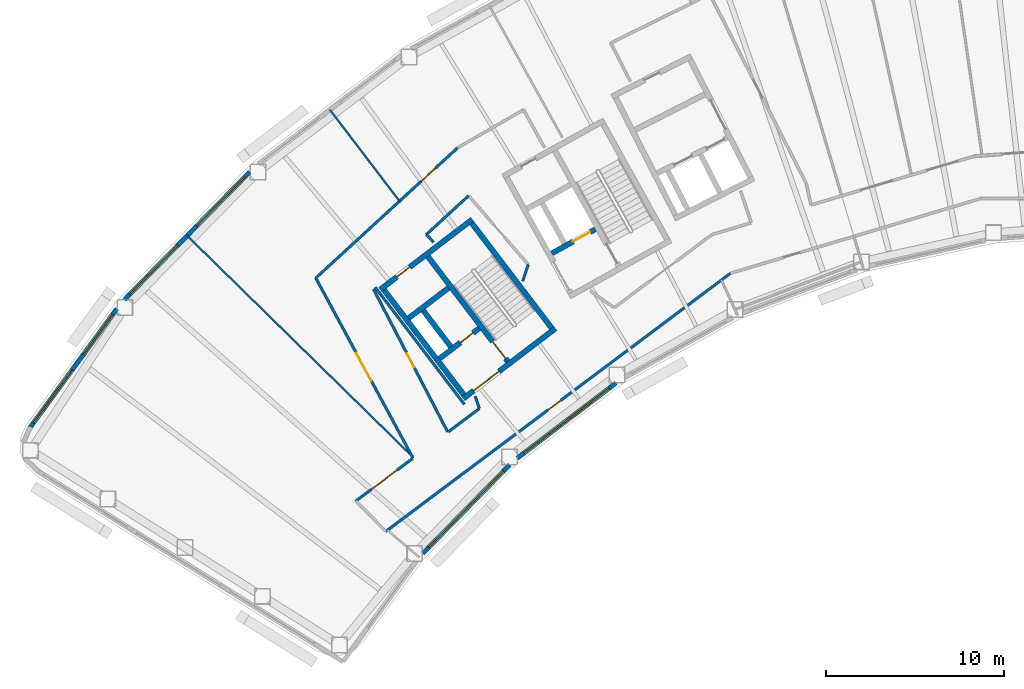
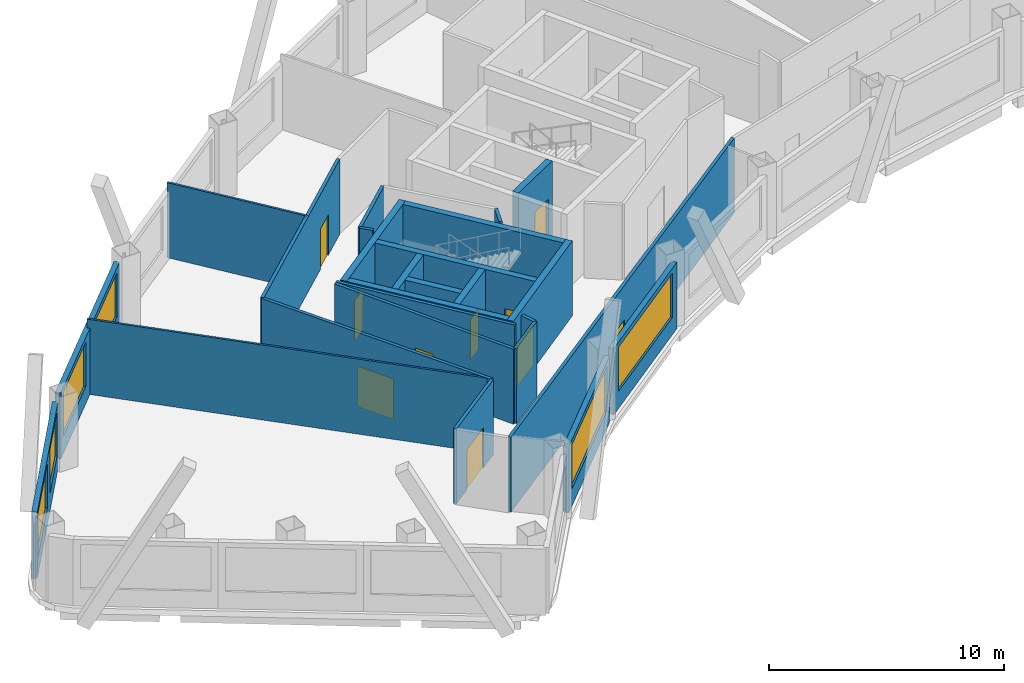
# One storey, part 5 of 13: 26 walls, 10 doors, 6 windows, 16 openings.
"""IFC4 building model written with IfcOpenShell, lengths in metres."""

from ifc_helpers import new_model, si_unit, direction, frame, frame_2d, origin, place, context, subcontext, project, spatial, rectangle, extrude, material, layer, layer_set, type_object, element, fill, save


model = new_model("IFC4")

# Units and contexts
model_context = context("Model", 3, precision=1e-05, world=origin(), true_north=direction((0.0, 1.0)))
body_context = subcontext(model_context, "Body", "Model", "MODEL_VIEW")
ifc_project = project(units=[si_unit("LENGTHUNIT", "METRE"), si_unit("AREAUNIT", "SQUARE_METRE"), si_unit("VOLUMEUNIT", "CUBIC_METRE"), si_unit("PLANEANGLEUNIT", "RADIAN"), si_unit("MASSUNIT", "GRAM", prefix="KILO")], contexts=[model_context])

# Site, building, storey
site_placement = place(None, origin())
site = spatial("IfcSite", under=ifc_project, at=site_placement, CompositionType="ELEMENT")
building_placement = place(site_placement, origin())
building = spatial("IfcBuilding", under=site, at=building_placement, Name="Tuul Gate Civic Tower", CompositionType="ELEMENT")
storey_placement = place(building_placement, frame((0.0, 0.0, 188.89990234375)))
storey = spatial("IfcBuildingStorey", under=building, at=storey_placement, Name="Level 43", CompositionType="ELEMENT", Elevation=188.89990234375)

# Wall, opening, door
ifc_material_1 = material(Name="Concrete C50/60", Category="concrete")
ifc_layer_1 = layer(ifc_material_1, 0.300048828125)
ifc_layer_set_1 = layer_set([ifc_layer_1], Name="Concrete C50/60")
wall_type_1 = type_object("IfcWallType", Name="Core wall C50/60", PredefinedType="SHEAR", material=ifc_layer_set_1)
wall_1_placement = place(storey_placement, frame((-31.19091796875, -13.669677734375, 0.0), z_axis=(0.0, 0.0, 1.0), x_axis=(-0.795606717756, -0.605813461934, 0.0)))
wall_1 = element("IfcWall", 1, at=wall_1_placement, inside=storey, type_object=wall_type_1, Name="Core wall", PredefinedType="SHEAR", context=body_context, shape_type="SweptSolid", body=[
    extrude(rectangle(XDim=6.5, YDim=0.300048828125, at=frame_2d((3.25, 0.0))), origin(), (0.0, 0.0, 1.0), 3.900146484375),
])
opening_1_placement = place(wall_1_placement, frame((3.97509765625, 0.0, 0.0)))
opening_1 = element("IfcOpeningElement", 2, at=opening_1_placement, cuts=wall_1, Name="Opening LB-W1-LOBBY-1", PredefinedType="OPENING", context=body_context, shape_type="SweptSolid", body=[
    extrude(rectangle(XDim=1.800048828125, YDim=2.10009765625, at=frame_2d((0.89990234375, 1.050048828125))), frame((0.0, 0.16015625, 0.0), z_axis=(0.0, -1.0, 0.0), x_axis=(1.0, 0.0, 0.0)), (0.0, 0.0, 1.0), 0.320068359375),
])
ifc_material_2 = material(Name="Steel", Category="steel")
door_type_1 = type_object("IfcDoorType", Name="Lobby door", OperationType="DOUBLE_DOOR_SINGLE_SWING", PredefinedType="DOOR", material=ifc_material_2)
door_1_placement = place(opening_1_placement, origin())
door_1 = element("IfcDoor", 3, at=door_1_placement, inside=storey, type_object=door_type_1, Name="Lobby door W1-LOBBY", OperationType="DOUBLE_DOOR_SINGLE_SWING", OverallHeight=2.10009765625, OverallWidth=1.800048828125, PredefinedType="DOOR", context=body_context, shape_type="SweptSolid", body=[
    extrude(rectangle(XDim=1.800048828125, YDim=2.10009765625, at=frame_2d((0.89990234375, 1.050048828125))), frame((0.0, 0.02490234375, 0.0), z_axis=(0.0, -1.0, 0.0), x_axis=(1.0, 0.0, 0.0)), (0.0, 0.0, 1.0), 0.050048828125),
])
fill(opening_1, door_1)

wall_2_placement = place(storey_placement, frame((-35.470947265625, -13.66064453125, 0.0), z_axis=(0.0, 0.0, 1.0), x_axis=(-0.795615822227, -0.605801504968, 0.0)))
wall_2 = element("IfcWall", 4, at=wall_2_placement, inside=storey, type_object=wall_type_1, Name="Core wall", PredefinedType="SHEAR", context=body_context, shape_type="SweptSolid", body=[
    extrude(rectangle(XDim=2.800048828125, YDim=0.300048828125, at=frame_2d((1.39990234375, 0.0))), origin(), (0.0, 0.0, 1.0), 3.900146484375),
])
opening_2_placement = place(wall_2_placement, frame((0.425048828125, 0.0, 0.0)))
opening_2 = element("IfcOpeningElement", 5, at=opening_2_placement, cuts=wall_2, Name="Opening FB-W1A1", PredefinedType="OPENING", context=body_context, shape_type="SweptSolid", body=[
    extrude(rectangle(XDim=0.89990234375, YDim=2.10009765625, at=frame_2d((0.449951171875, 1.050048828125))), frame((0.0, 0.16015625, 0.0), z_axis=(0.0, -1.0, 0.0), x_axis=(1.0, 0.0, 0.0)), (0.0, 0.0, 1.0), 0.320068359375),
])
ifc_material_3 = material(Name="Steel", Category="steel")
door_type_2 = type_object("IfcDoorType", Name="Store door", OperationType="NOTDEFINED", PredefinedType="DOOR", material=ifc_material_3)
door_2_placement = place(opening_2_placement, origin())
door_2 = element("IfcDoor", 6, at=door_2_placement, inside=storey, type_object=door_type_2, Name="Store door W1A1", OperationType="SINGLE_SWING_LEFT", OverallHeight=2.10009765625, OverallWidth=0.89990234375, PredefinedType="DOOR", context=body_context, shape_type="SweptSolid", body=[
    extrude(rectangle(XDim=0.89990234375, YDim=2.10009765625, at=frame_2d((0.449951171875, 1.050048828125))), frame((0.0, 0.02490234375, 0.0), z_axis=(0.0, -1.0, 0.0), x_axis=(1.0, 0.0, 0.0)), (0.0, 0.0, 1.0), 0.050048828125),
])
fill(opening_2, door_2)

# Wall
wall_3_placement = place(storey_placement, frame((-37.197509765625, -11.39306640625, 0.0), z_axis=(0.0, 0.0, 1.0), x_axis=(-0.795583820278, -0.605843531707, 0.0)))
element("IfcWall", 7, at=wall_3_placement, inside=storey, type_object=wall_type_1, Name="Core wall", PredefinedType="SHEAR", context=body_context, shape_type="SweptSolid", body=[
    extrude(rectangle(XDim=2.7998046875, YDim=0.300048828125, at=frame_2d((1.39990234375, 0.0))), origin(), (0.0, 0.0, 1.0), 3.900146484375),
])

# Wall, opening, door
wall_4_placement = place(storey_placement, frame((-35.855224609375, -7.543212890625, 0.0), z_axis=(0.0, 0.0, 1.0), x_axis=(-0.79563860527, -0.605771582202, 0.0)))
wall_4 = element("IfcWall", 8, at=wall_4_placement, inside=storey, type_object=wall_type_1, Name="Core wall", PredefinedType="SHEAR", context=body_context, shape_type="SweptSolid", body=[
    extrude(rectangle(XDim=6.5, YDim=0.300048828125, at=frame_2d((3.25, 0.0))), origin(), (0.0, 0.0, 1.0), 3.900146484375),
])
opening_3_placement = place(wall_4_placement, frame((4.425048828125, 0.0, 0.0)))
opening_3 = element("IfcOpeningElement", 9, at=opening_3_placement, cuts=wall_4, Name="Opening O-D25", PredefinedType="OPENING", context=body_context, shape_type="SweptSolid", body=[
    extrude(rectangle(XDim=0.89990234375, YDim=2.10009765625, at=frame_2d((0.449951171875, 1.050048828125))), frame((0.0, 0.16015625, 0.0), z_axis=(0.0, -1.0, 0.0), x_axis=(1.0, 0.0, 0.0)), (0.0, 0.0, 1.0), 0.320068359375),
])
ifc_material_4 = material(Name="Timber door leaf", Category="wood")
door_type_3 = type_object("IfcDoorType", Name="Door D09", OperationType="NOTDEFINED", PredefinedType="DOOR", material=ifc_material_4)
door_3_placement = place(opening_3_placement, origin())
door_3 = element("IfcDoor", 10, at=door_3_placement, inside=storey, type_object=door_type_3, Name="Door O-D25", OperationType="SINGLE_SWING_RIGHT", OverallHeight=2.10009765625, OverallWidth=0.89990234375, PredefinedType="DOOR", context=body_context, shape_type="SweptSolid", body=[
    extrude(rectangle(XDim=0.89990234375, YDim=2.10009765625, at=frame_2d((0.449951171875, 1.050048828125))), frame((0.0, 0.02490234375, 0.0), z_axis=(0.0, -1.0, 0.0), x_axis=(1.0, 0.0, 0.0)), (0.0, 0.0, 1.0), 0.050048828125),
])
fill(opening_3, door_3)

# Wall
wall_5_placement = place(storey_placement, frame((-31.401123046875, -13.64111328125, 0.0), z_axis=(0.0, 0.0, 1.0), x_axis=(-0.605769822278, 0.795639945213, 0.0)))
element("IfcWall", 11, at=wall_5_placement, inside=storey, type_object=wall_type_1, Name="Core wall", PredefinedType="SHEAR", context=body_context, shape_type="SweptSolid", body=[
    extrude(rectangle(XDim=7.39990234375, YDim=0.300048828125, at=frame_2d((3.699951171875, 0.0))), origin(), (0.0, 0.0, 1.0), 3.900146484375),
])

# Wall, opening, door
wall_6_placement = place(storey_placement, frame((-33.867431640625, -15.51904296875, 0.0), z_axis=(0.0, 0.0, 1.0), x_axis=(-0.605769822278, 0.795639945213, 0.0)))
wall_6 = element("IfcWall", 12, at=wall_6_placement, inside=storey, type_object=wall_type_1, Name="Core wall", PredefinedType="SHEAR", context=body_context, shape_type="SweptSolid", body=[
    extrude(rectangle(XDim=7.39990234375, YDim=0.300048828125, at=frame_2d((3.699951171875, 0.0))), origin(), (0.0, 0.0, 1.0), 3.900146484375),
])
opening_4_placement = place(wall_6_placement, frame((0.199951171875, 0.0, 0.0)))
opening_4 = element("IfcOpeningElement", 13, at=opening_4_placement, cuts=wall_6, Name="Opening SD-ST-1", PredefinedType="OPENING", context=body_context, shape_type="SweptSolid", body=[
    extrude(rectangle(XDim=1.199951171875, YDim=2.10009765625, at=frame_2d((0.60009765625, 1.050048828125))), frame((0.0, 0.16015625, 0.0), z_axis=(0.0, -1.0, 0.0), x_axis=(1.0, 0.0, 0.0)), (0.0, 0.0, 1.0), 0.320068359375),
])
ifc_material_5 = material(Name="Steel", Category="steel")
door_type_4 = type_object("IfcDoorType", Name="Stair door", OperationType="NOTDEFINED", PredefinedType="DOOR", material=ifc_material_5)
door_4_placement = place(opening_4_placement, origin())
door_4 = element("IfcDoor", 14, at=door_4_placement, inside=storey, type_object=door_type_4, Name="Stair door ST-1", OperationType="SINGLE_SWING_LEFT", OverallHeight=2.10009765625, OverallWidth=1.199951171875, PredefinedType="DOOR", context=body_context, shape_type="SweptSolid", body=[
    extrude(rectangle(XDim=1.199951171875, YDim=2.10009765625, at=frame_2d((0.60009765625, 1.050048828125))), frame((0.0, 0.02490234375, 0.0), z_axis=(0.0, -1.0, 0.0), x_axis=(1.0, 0.0, 0.0)), (0.0, 0.0, 1.0), 0.050048828125),
])
fill(opening_4, door_4)

# Walls
wall_7_placement = place(storey_placement, frame((-37.073486328125, -14.6923828125, 0.0), z_axis=(0.0, 0.0, 1.0), x_axis=(-0.605728760074, 0.79567120673, 0.0)))
element("IfcWall", 15, at=wall_7_placement, inside=storey, type_object=wall_type_1, Name="Core wall", PredefinedType="SHEAR", context=body_context, shape_type="SweptSolid", body=[
    extrude(rectangle(XDim=2.550048828125, YDim=0.300048828125, at=frame_2d((1.27490234375, 0.0))), origin(), (0.0, 0.0, 1.0), 3.900146484375),
])
wall_8_placement = place(storey_placement, frame((-36.333984375, -17.397216796875, 0.0), z_axis=(0.0, 0.0, 1.0), x_axis=(-0.605753921168, 0.795652051458, 0.0)))
element("IfcWall", 16, at=wall_8_placement, inside=storey, type_object=wall_type_1, Name="Core wall", PredefinedType="SHEAR", context=body_context, shape_type="SweptSolid", body=[
    extrude(rectangle(XDim=7.400146484375, YDim=0.300048828125, at=frame_2d((3.7001953125, 0.0))), origin(), (0.0, 0.0, 1.0), 3.900146484375),
])

# Wall, opening, door
wall_9_placement = place(storey_placement, frame((-28.94580078125, -8.090087890625, 0.0), z_axis=(0.0, 0.0, 1.0), x_axis=(-0.874629840737, -0.484791338301, 0.0)))
wall_9 = element("IfcWall", 17, at=wall_9_placement, inside=storey, type_object=wall_type_1, Name="Core wall", PredefinedType="SHEAR", context=body_context, shape_type="SweptSolid", body=[
    extrude(rectangle(XDim=2.800048828125, YDim=0.300048828125, at=frame_2d((1.39990234375, 0.0))), origin(), (0.0, 0.0, 1.0), 3.900146484375),
])
opening_5_placement = place(wall_9_placement, frame((0.324951171875, 0.0, 0.0)))
opening_5 = element("IfcOpeningElement", 18, at=opening_5_placement, cuts=wall_9, Name="Opening LD-FF-1", PredefinedType="OPENING", context=body_context, shape_type="SweptSolid", body=[
    extrude(rectangle(XDim=1.10009765625, YDim=2.10009765625, at=frame_2d((0.550048828125, 1.050048828125))), frame((0.0, 0.16015625, 0.0), z_axis=(0.0, -1.0, 0.0), x_axis=(1.0, 0.0, 0.0)), (0.0, 0.0, 1.0), 0.320068359375),
])
ifc_material_6 = material(Name="Stainless steel", Category="steel")
door_type_5 = type_object("IfcDoorType", Name="Landing door", OperationType="DOUBLE_DOOR_SLIDING", PredefinedType="DOOR", material=ifc_material_6)
door_5_placement = place(opening_5_placement, origin())
door_5 = element("IfcDoor", 19, at=door_5_placement, inside=storey, type_object=door_type_5, Name="Fire-fighting lift FF-1 landing door", OperationType="DOUBLE_DOOR_SLIDING", OverallHeight=2.10009765625, OverallWidth=1.10009765625, PredefinedType="DOOR", context=body_context, shape_type="SweptSolid", body=[
    extrude(rectangle(XDim=1.10009765625, YDim=2.10009765625, at=frame_2d((0.550048828125, 1.050048828125))), frame((0.0, 0.02490234375, 0.0), z_axis=(0.0, -1.0, 0.0), x_axis=(1.0, 0.0, 0.0)), (0.0, 0.0, 1.0), 0.050048828125),
])
fill(opening_5, door_5)

ifc_material_7 = material(Name="Gypsum board partition")
ifc_layer_2 = layer(ifc_material_7, 0.14990234375)
ifc_layer_set_2 = layer_set([ifc_layer_2], Name="Gypsum board partition")
wall_type_2 = type_object("IfcWallType", Name="Corridor wall P150", PredefinedType="PARTITIONING", material=ifc_layer_set_2)
wall_10_placement = place(storey_placement, frame((-42.40576171875, -23.3671875, 0.0), z_axis=(0.0, 0.0, 1.0), x_axis=(0.800709014442, 0.599053481912, 0.0)))
wall_10 = element("IfcWall", 20, at=wall_10_placement, inside=storey, type_object=wall_type_2, Name="p049", PredefinedType="PARTITIONING", context=body_context, shape_type="SweptSolid", body=[
    extrude(rectangle(XDim=4.0048828125, YDim=0.14990234375, at=frame_2d((2.00244140625, 0.0))), origin(), (0.0, 0.0, 1.0), 3.900146484375),
])
opening_6_placement = place(wall_10_placement, frame((1.1025390625, 0.0, 0.0)))
opening_6 = element("IfcOpeningElement", 21, at=opening_6_placement, cuts=wall_10, Name="Opening O-D18", PredefinedType="OPENING", context=body_context, shape_type="SweptSolid", body=[
    extrude(rectangle(XDim=1.800048828125, YDim=2.10009765625, at=frame_2d((0.89990234375, 1.050048828125))), frame((0.0, 0.0849609375, 0.0), z_axis=(0.0, -1.0, 0.0), x_axis=(1.0, 0.0, 0.0)), (0.0, 0.0, 1.0), 0.169921875),
])
ifc_material_8 = material(Name="Timber door leaf, double", Category="wood")
door_type_6 = type_object("IfcDoorType", Name="Door D18", OperationType="DOUBLE_DOOR_SINGLE_SWING", PredefinedType="DOOR", material=ifc_material_8)
door_6_placement = place(opening_6_placement, origin())
door_6 = element("IfcDoor", 22, at=door_6_placement, inside=storey, type_object=door_type_6, Name="Door O-D18", OperationType="DOUBLE_DOOR_SINGLE_SWING", OverallHeight=2.10009765625, OverallWidth=1.800048828125, PredefinedType="DOOR", context=body_context, shape_type="SweptSolid", body=[
    extrude(rectangle(XDim=1.800048828125, YDim=2.10009765625, at=frame_2d((0.89990234375, 1.050048828125))), frame((0.0, 0.02490234375, 0.0), z_axis=(0.0, -1.0, 0.0), x_axis=(1.0, 0.0, 0.0)), (0.0, 0.0, 1.0), 0.050048828125),
])
fill(opening_6, door_6)

# Wall
wall_11_placement = place(storey_placement, frame((-37.2138671875, -19.48291015625, 0.0), z_axis=(0.0, 0.0, 1.0), x_axis=(0.800732897989, 0.599021557274, 0.0)))
element("IfcWall", 23, at=wall_11_placement, inside=storey, type_object=wall_type_2, Name="p050", PredefinedType="PARTITIONING", context=body_context, shape_type="SweptSolid", body=[
    extrude(rectangle(XDim=2.19677734375, YDim=0.14990234375, at=frame_2d((1.098388671875, 0.0))), origin(), (0.0, 0.0, 1.0), 3.900146484375),
])

# Wall, opening, door
wall_12_placement = place(storey_placement, frame((-44.6494140625, -10.834228515625, 0.0), z_axis=(0.0, 0.0, 1.0), x_axis=(0.736637538175, 0.676287762237, 0.0)))
wall_12 = element("IfcWall", 24, at=wall_12_placement, inside=storey, type_object=wall_type_2, Name="p056", PredefinedType="PARTITIONING", context=body_context, shape_type="SweptSolid", body=[
    extrude(rectangle(XDim=10.8134765625, YDim=0.14990234375, at=frame_2d((5.40673828125, 0.0))), origin(), (0.0, 0.0, 1.0), 3.900146484375),
])
opening_7_placement = place(wall_12_placement, frame((8.04833984375, 0.0, 0.0)))
opening_7 = element("IfcOpeningElement", 25, at=opening_7_placement, cuts=wall_12, Name="Opening O-D16", PredefinedType="OPENING", context=body_context, shape_type="SweptSolid", body=[
    extrude(rectangle(XDim=1.10009765625, YDim=2.10009765625, at=frame_2d((0.550048828125, 1.050048828125))), frame((0.0, 0.0849609375, 0.0), z_axis=(0.0, -1.0, 0.0), x_axis=(1.0, 0.0, 0.0)), (0.0, 0.0, 1.0), 0.169921875),
])
ifc_material_9 = material(Name="Timber door leaf", Category="wood")
door_type_7 = type_object("IfcDoorType", Name="Door D11", OperationType="NOTDEFINED", PredefinedType="DOOR", material=ifc_material_9)
door_7_placement = place(opening_7_placement, origin())
door_7 = element("IfcDoor", 26, at=door_7_placement, inside=storey, type_object=door_type_7, Name="Door O-D16", OperationType="SINGLE_SWING_RIGHT", OverallHeight=2.10009765625, OverallWidth=1.10009765625, PredefinedType="DOOR", context=body_context, shape_type="SweptSolid", body=[
    extrude(rectangle(XDim=1.10009765625, YDim=2.10009765625, at=frame_2d((0.550048828125, 1.050048828125))), frame((0.0, 0.02490234375, 0.0), z_axis=(0.0, -1.0, 0.0), x_axis=(1.0, 0.0, 0.0)), (0.0, 0.0, 1.0), 0.050048828125),
])
fill(opening_7, door_7)

wall_13_placement = place(storey_placement, frame((-44.649658203125, -10.835205078125, 0.0), z_axis=(0.0, 0.0, 1.0), x_axis=(0.47506006994, -0.879953368054, 0.0)))
wall_13 = element("IfcWall", 27, at=wall_13_placement, inside=storey, type_object=wall_type_2, Name="p058", PredefinedType="PARTITIONING", context=body_context, shape_type="SweptSolid", body=[
    extrude(rectangle(XDim=11.489013671875, YDim=0.14990234375, at=frame_2d((5.74462890625, 0.0))), origin(), (0.0, 0.0, 1.0), 3.900146484375),
])
opening_8_placement = place(wall_13_placement, frame((4.783935546875, 0.0, 0.0)))
opening_8 = element("IfcOpeningElement", 28, at=opening_8_placement, cuts=wall_13, Name="Opening O-D17", PredefinedType="OPENING", context=body_context, shape_type="SweptSolid", body=[
    extrude(rectangle(XDim=1.800048828125, YDim=2.10009765625, at=frame_2d((0.89990234375, 1.050048828125))), frame((0.0, 0.0849609375, 0.0), z_axis=(0.0, -1.0, 0.0), x_axis=(1.0, 0.0, 0.0)), (0.0, 0.0, 1.0), 0.169921875),
])
door_8_placement = place(opening_8_placement, frame((1.800048828125, 0.0, 0.0), z_axis=(0.0, 0.0, 1.0), x_axis=(-1.0, 0.0, 0.0)))
door_8 = element("IfcDoor", 29, at=door_8_placement, inside=storey, type_object=door_type_6, Name="Door O-D17", OperationType="DOUBLE_DOOR_SINGLE_SWING", OverallHeight=2.10009765625, OverallWidth=1.800048828125, PredefinedType="DOOR", context=body_context, shape_type="SweptSolid", body=[
    extrude(rectangle(XDim=1.800048828125, YDim=2.10009765625, at=frame_2d((0.900146484375, 1.050048828125))), frame((0.0, 0.02490234375, 0.0), z_axis=(0.0, -1.0, 0.0), x_axis=(1.0, 0.0, 0.0)), (0.0, 0.0, 1.0), 0.050048828125),
])
fill(opening_8, door_8)

wall_14_placement = place(storey_placement, frame((-40.71044921875, -25.06787109375, 0.0), z_axis=(0.0, 0.0, 1.0), x_axis=(0.800397176277, 0.599470066148, 0.0)))
wall_14 = element("IfcWall", 30, at=wall_14_placement, inside=storey, type_object=wall_type_2, Name="p061", PredefinedType="PARTITIONING", context=body_context, shape_type="SweptSolid", body=[
    extrude(rectangle(XDim=24.18359375, YDim=0.14990234375, at=frame_2d((12.091796875, 0.0))), origin(), (0.0, 0.0, 1.0), 3.900146484375),
])
opening_9_placement = place(wall_14_placement, frame((11.374755859375, 0.0, 0.0)))
opening_9 = element("IfcOpeningElement", 31, at=opening_9_placement, cuts=wall_14, Name="Opening O-D21", PredefinedType="OPENING", context=body_context, shape_type="SweptSolid", body=[
    extrude(rectangle(XDim=0.89990234375, YDim=2.10009765625, at=frame_2d((0.449951171875, 1.050048828125))), frame((0.0, 0.0849609375, 0.0), z_axis=(0.0, -1.0, 0.0), x_axis=(1.0, 0.0, 0.0)), (0.0, 0.0, 1.0), 0.169921875),
])
door_9_placement = place(opening_9_placement, frame((0.89990234375, 0.0, 0.0), z_axis=(0.0, 0.0, 1.0), x_axis=(-1.0, 0.0, 0.0)))
door_9 = element("IfcDoor", 32, at=door_9_placement, inside=storey, type_object=door_type_3, Name="Door O-D21", OperationType="SINGLE_SWING_LEFT", OverallHeight=2.10009765625, OverallWidth=0.89990234375, PredefinedType="DOOR", context=body_context, shape_type="SweptSolid", body=[
    extrude(rectangle(XDim=0.89990234375, YDim=2.10009765625, at=frame_2d((0.449951171875, 1.050048828125))), frame((0.0, 0.02490234375, 0.0), z_axis=(0.0, -1.0, 0.0), x_axis=(1.0, 0.0, 0.0)), (0.0, 0.0, 1.0), 0.050048828125),
])
fill(opening_9, door_9)

# Walls
wall_15_placement = place(storey_placement, frame((-33.025390625, -11.012451171875, 0.0), z_axis=(0.0, 0.0, 1.0), x_axis=(0.315856146292, 0.94880709043, 0.0)))
element("IfcWall", 33, at=wall_15_placement, inside=storey, type_object=wall_type_2, Name="p068", PredefinedType="PARTITIONING", context=body_context, shape_type="SweptSolid", body=[
    extrude(rectangle(XDim=0.985595703125, YDim=0.14990234375, at=frame_2d((0.49267578125, 0.0))), origin(), (0.0, 0.0, 1.0), 3.900146484375),
])
wall_16_placement = place(storey_placement, frame((-38.436279296875, -8.38818359375, 0.0), z_axis=(0.0, 0.0, 1.0), x_axis=(0.676468695749, -0.736471386866, 0.0)))
element("IfcWall", 34, at=wall_16_placement, inside=storey, type_object=wall_type_2, Name="p069", PredefinedType="PARTITIONING", context=body_context, shape_type="SweptSolid", body=[
    extrude(rectangle(XDim=0.593994140625, YDim=0.14990234375, at=frame_2d((0.296875, 0.0))), origin(), (0.0, 0.0, 1.0), 3.900146484375),
])
wall_17_placement = place(storey_placement, frame((-38.436279296875, -8.38818359375, 0.0), z_axis=(0.0, 0.0, 1.0), x_axis=(0.736637797487, 0.676287479784, 0.0)))
element("IfcWall", 35, at=wall_17_placement, inside=storey, type_object=wall_type_2, Name="p070", PredefinedType="PARTITIONING", context=body_context, shape_type="SweptSolid", body=[
    extrude(rectangle(XDim=3.22021484375, YDim=0.14990234375, at=frame_2d((1.610107421875, 0.0))), origin(), (0.0, 0.0, 1.0), 3.900146484375),
])
wall_18_placement = place(storey_placement, frame((-35.696044921875, -17.4775390625, 0.0), z_axis=(0.0, 0.0, 1.0), x_axis=(0.324534368994, -0.945873904567, 0.0)))
element("IfcWall", 36, at=wall_18_placement, inside=storey, type_object=wall_type_2, Name="p071", PredefinedType="PARTITIONING", context=body_context, shape_type="SweptSolid", body=[
    extrude(rectangle(XDim=0.713134765625, YDim=0.14990234375, at=frame_2d((0.3564453125, 0.0))), origin(), (0.0, 0.0, 1.0), 3.900146484375),
])

# Wall, opening, door
wall_19_placement = place(storey_placement, frame((-41.40966796875, -11.457275390625, 0.0), z_axis=(0.0, 0.0, 1.0), x_axis=(0.461055857923, -0.887371115078, 0.0)))
wall_19 = element("IfcWall", 37, at=wall_19_placement, inside=storey, type_object=wall_type_2, Name="p072", PredefinedType="PARTITIONING", context=body_context, shape_type="SweptSolid", body=[
    extrude(rectangle(XDim=9.037353515625, YDim=0.14990234375, at=frame_2d((4.5185546875, 0.0))), origin(), (0.0, 0.0, 1.0), 3.900146484375),
])
opening_10_placement = place(wall_19_placement, frame((4.06884765625, 0.0, 0.0)))
opening_10 = element("IfcOpeningElement", 38, at=opening_10_placement, cuts=wall_19, Name="Opening O-D23", PredefinedType="OPENING", context=body_context, shape_type="SweptSolid", body=[
    extrude(rectangle(XDim=0.89990234375, YDim=2.10009765625, at=frame_2d((0.449951171875, 1.050048828125))), frame((0.0, 0.0849609375, 0.0), z_axis=(0.0, -1.0, 0.0), x_axis=(1.0, 0.0, 0.0)), (0.0, 0.0, 1.0), 0.169921875),
])
door_10_placement = place(opening_10_placement, frame((0.89990234375, 0.0, 0.0), z_axis=(0.0, 0.0, 1.0), x_axis=(-1.0, 0.0, 0.0)))
door_10 = element("IfcDoor", 39, at=door_10_placement, inside=storey, type_object=door_type_3, Name="Door O-D23", OperationType="SINGLE_SWING_LEFT", OverallHeight=2.10009765625, OverallWidth=0.89990234375, PredefinedType="DOOR", context=body_context, shape_type="SweptSolid", body=[
    extrude(rectangle(XDim=0.89990234375, YDim=2.10009765625, at=frame_2d((0.449951171875, 1.050048828125))), frame((0.0, 0.02490234375, 0.0), z_axis=(0.0, -1.0, 0.0), x_axis=(1.0, 0.0, 0.0)), (0.0, 0.0, 1.0), 0.050048828125),
])
fill(opening_10, door_10)

# Wall
wall_20_placement = place(storey_placement, frame((-41.31005859375, -11.357421875, 0.0), z_axis=(0.0, 0.0, 1.0), x_axis=(0.605761214883, -0.79564649848, 0.0)))
element("IfcWall", 40, at=wall_20_placement, inside=storey, type_object=wall_type_2, Name="p073", PredefinedType="PARTITIONING", context=body_context, shape_type="SweptSolid", body=[
    extrude(rectangle(XDim=8.269775390625, YDim=0.14990234375, at=frame_2d((4.134765625, 0.0))), origin(), (0.0, 0.0, 1.0), 3.900146484375),
])

# Wall, openings, windows
ifc_material_10 = material(Name="Precast concrete C40/50", Category="concrete")
ifc_layer_3 = layer(ifc_material_10, 0.25)
ifc_layer_set_3 = layer_set([ifc_layer_3], Name="Precast concrete C40/50")
wall_type_3 = type_object("IfcWallType", Name="External wall", PredefinedType="STANDARD", material=ifc_layer_set_3)
wall_21_placement = place(storey_placement, frame((-48.35791015625, -4.87060546875, 0.0), z_axis=(0.0, 0.0, 1.0), x_axis=(-0.700041790386, -0.714101877685, 0.0)))
wall_21 = element("IfcWall", 41, at=wall_21_placement, inside=storey, type_object=wall_type_3, Name="External wall", PredefinedType="STANDARD", context=body_context, shape_type="SweptSolid", body=[
    extrude(rectangle(XDim=10.0537109375, YDim=0.25, at=frame_2d((5.02685546875, 0.0))), origin(), (0.0, 0.0, 1.0), 3.4501953125),
])
opening_11_placement = place(wall_21_placement, frame((0.416015625, 0.0, 0.89990234375)))
opening_11 = element("IfcOpeningElement", 42, at=opening_11_placement, cuts=wall_21, Name="Opening W22", PredefinedType="OPENING", context=body_context, shape_type="SweptSolid", body=[
    extrude(rectangle(XDim=3.85009765625, YDim=2.300048828125, at=frame_2d((1.925048828125, 1.14990234375))), frame((0.0, 0.135009765625, 0.0), z_axis=(0.0, -1.0, 0.0), x_axis=(1.0, 0.0, 0.0)), (0.0, 0.0, 1.0), 0.27001953125),
])
opening_12_placement = place(wall_21_placement, frame((5.787109375, 0.0, 0.89990234375)))
opening_12 = element("IfcOpeningElement", 43, at=opening_12_placement, cuts=wall_21, Name="Opening W22", PredefinedType="OPENING", context=body_context, shape_type="SweptSolid", body=[
    extrude(rectangle(XDim=3.85009765625, YDim=2.300048828125, at=frame_2d((1.925048828125, 1.14990234375))), frame((0.0, 0.135009765625, 0.0), z_axis=(0.0, -1.0, 0.0), x_axis=(1.0, 0.0, 0.0)), (0.0, 0.0, 1.0), 0.27001953125),
])
ifc_material_11 = material(Name="Glass", Category="glass")
window_type_1 = type_object("IfcWindowType", Name="Window W22 3850 x 2300", PartitioningType="SINGLE_PANEL", PredefinedType="WINDOW", material=ifc_material_11)
window_1_placement = place(opening_11_placement, origin())
window_1 = element("IfcWindow", 44, at=window_1_placement, inside=storey, type_object=window_type_1, Name="Window", OverallHeight=2.300048828125, OverallWidth=3.85009765625, PartitioningType="SINGLE_PANEL", PredefinedType="WINDOW", context=body_context, shape_type="SweptSolid", body=[
    extrude(rectangle(XDim=3.85009765625, YDim=2.300048828125, at=frame_2d((1.925048828125, 1.14990234375))), frame((0.0, 0.030029296875, 0.0), z_axis=(0.0, -1.0, 0.0), x_axis=(1.0, 0.0, 0.0)), (0.0, 0.0, 1.0), 0.06005859375),
])
fill(opening_11, window_1)
window_2_placement = place(opening_12_placement, origin())
window_2 = element("IfcWindow", 45, at=window_2_placement, inside=storey, type_object=window_type_1, Name="Window", OverallHeight=2.300048828125, OverallWidth=3.85009765625, PartitioningType="SINGLE_PANEL", PredefinedType="WINDOW", context=body_context, shape_type="SweptSolid", body=[
    extrude(rectangle(XDim=3.85009765625, YDim=2.300048828125, at=frame_2d((1.925048828125, 1.14990234375))), frame((0.0, 0.030029296875, 0.0), z_axis=(0.0, -1.0, 0.0), x_axis=(1.0, 0.0, 0.0)), (0.0, 0.0, 1.0), 0.06005859375),
])
fill(opening_12, window_2)

wall_22_placement = place(storey_placement, frame((-55.83203125, -12.565185546875, 0.0), z_axis=(0.0, 0.0, 1.0), x_axis=(-0.589755466838, -0.80758187779, 0.0)))
wall_22 = element("IfcWall", 46, at=wall_22_placement, inside=storey, type_object=wall_type_3, Name="External wall", PredefinedType="STANDARD", context=body_context, shape_type="SweptSolid", body=[
    extrude(rectangle(XDim=8.25244140625, YDim=0.25, at=frame_2d((4.126220703125, 0.0))), origin(), (0.0, 0.0, 1.0), 3.4501953125),
])
opening_13_placement = place(wall_22_placement, frame((0.39990234375, 0.0, 0.89990234375)))
opening_13 = element("IfcOpeningElement", 47, at=opening_13_placement, cuts=wall_22, Name="Opening W23", PredefinedType="OPENING", context=body_context, shape_type="SweptSolid", body=[
    extrude(rectangle(XDim=2.800048828125, YDim=2.300048828125, at=frame_2d((1.39990234375, 1.14990234375))), frame((0.0, 0.135009765625, 0.0), z_axis=(0.0, -1.0, 0.0), x_axis=(1.0, 0.0, 0.0)), (0.0, 0.0, 1.0), 0.27001953125),
])
opening_14_placement = place(wall_22_placement, frame((4.251708984375, 0.0, 0.89990234375)))
opening_14 = element("IfcOpeningElement", 48, at=opening_14_placement, cuts=wall_22, Name="Opening W21", PredefinedType="OPENING", context=body_context, shape_type="SweptSolid", body=[
    extrude(rectangle(XDim=3.699951171875, YDim=2.300048828125, at=frame_2d((1.85009765625, 1.14990234375))), frame((0.0, 0.135009765625, 0.0), z_axis=(0.0, -1.0, 0.0), x_axis=(1.0, 0.0, 0.0)), (0.0, 0.0, 1.0), 0.27001953125),
])
ifc_material_12 = material(Name="Glass", Category="glass")
window_type_2 = type_object("IfcWindowType", Name="Window W21 3700 x 2300", PartitioningType="SINGLE_PANEL", PredefinedType="WINDOW", material=ifc_material_12)
window_3_placement = place(opening_14_placement, origin())
window_3 = element("IfcWindow", 49, at=window_3_placement, inside=storey, type_object=window_type_2, Name="Window", OverallHeight=2.300048828125, OverallWidth=3.699951171875, PartitioningType="SINGLE_PANEL", PredefinedType="WINDOW", context=body_context, shape_type="SweptSolid", body=[
    extrude(rectangle(XDim=3.699951171875, YDim=2.300048828125, at=frame_2d((1.85009765625, 1.14990234375))), frame((0.0, 0.030029296875, 0.0), z_axis=(0.0, -1.0, 0.0), x_axis=(1.0, 0.0, 0.0)), (0.0, 0.0, 1.0), 0.06005859375),
])
fill(opening_14, window_3)
ifc_material_13 = material(Name="Glass", Category="glass")
window_type_3 = type_object("IfcWindowType", Name="Window W23 2800 x 2300", PartitioningType="SINGLE_PANEL", PredefinedType="WINDOW", material=ifc_material_13)
window_4_placement = place(opening_13_placement, origin())
window_4 = element("IfcWindow", 50, at=window_4_placement, inside=storey, type_object=window_type_3, Name="Window", OverallHeight=2.300048828125, OverallWidth=2.800048828125, PartitioningType="SINGLE_PANEL", PredefinedType="WINDOW", context=body_context, shape_type="SweptSolid", body=[
    extrude(rectangle(XDim=2.800048828125, YDim=2.300048828125, at=frame_2d((1.39990234375, 1.14990234375))), frame((0.0, 0.030029296875, 0.0), z_axis=(0.0, -1.0, 0.0), x_axis=(1.0, 0.0, 0.0)), (0.0, 0.0, 1.0), 0.06005859375),
])
fill(opening_13, window_4)

# Wall, opening, window
wall_23_placement = place(storey_placement, frame((-38.64111328125, -26.313232421875, 0.0), z_axis=(0.0, 0.0, 1.0), x_axis=(0.700101181113, 0.71404365147, 0.0)))
wall_23 = element("IfcWall", 51, at=wall_23_placement, inside=storey, type_object=wall_type_3, Name="External wall", PredefinedType="STANDARD", context=body_context, shape_type="SweptSolid", body=[
    extrude(rectangle(XDim=6.96923828125, YDim=0.25, at=frame_2d((3.484619140625, 0.0))), origin(), (0.0, 0.0, 1.0), 3.4501953125),
])
opening_15_placement = place(wall_23_placement, frame((0.484130859375, 0.0, 0.89990234375)))
opening_15 = element("IfcOpeningElement", 52, at=opening_15_placement, cuts=wall_23, Name="Opening W26", PredefinedType="OPENING", context=body_context, shape_type="SweptSolid", body=[
    extrude(rectangle(XDim=6.0, YDim=2.300048828125, at=frame_2d((3.0, 1.14990234375))), frame((0.0, 0.135009765625, 0.0), z_axis=(0.0, -1.0, 0.0), x_axis=(1.0, 0.0, 0.0)), (0.0, 0.0, 1.0), 0.27001953125),
])
ifc_material_14 = material(Name="Glass", Category="glass")
window_type_4 = type_object("IfcWindowType", Name="Window W26 6000 x 2300", PartitioningType="SINGLE_PANEL", PredefinedType="WINDOW", material=ifc_material_14)
window_5_placement = place(opening_15_placement, origin())
window_5 = element("IfcWindow", 53, at=window_5_placement, inside=storey, type_object=window_type_4, Name="Window", OverallHeight=2.300048828125, OverallWidth=6.0, PartitioningType="SINGLE_PANEL", PredefinedType="WINDOW", context=body_context, shape_type="SweptSolid", body=[
    extrude(rectangle(XDim=6.0, YDim=2.300048828125, at=frame_2d((3.0, 1.14990234375))), frame((0.0, 0.030029296875, 0.0), z_axis=(0.0, -1.0, 0.0), x_axis=(1.0, 0.0, 0.0)), (0.0, 0.0, 1.0), 0.06005859375),
])
fill(opening_15, window_5)

wall_24_placement = place(storey_placement, frame((-33.326904296875, -20.953857421875, 0.0), z_axis=(0.0, 0.0, 1.0), x_axis=(0.795583108554, 0.605844466331, 0.0)))
wall_24 = element("IfcWall", 54, at=wall_24_placement, inside=storey, type_object=wall_type_3, Name="External wall", PredefinedType="STANDARD", context=body_context, shape_type="SweptSolid", body=[
    extrude(rectangle(XDim=6.95849609375, YDim=0.25, at=frame_2d((3.479248046875, 0.0))), origin(), (0.0, 0.0, 1.0), 3.4501953125),
])
opening_16_placement = place(wall_24_placement, frame((0.478271484375, 0.0, 0.89990234375)))
opening_16 = element("IfcOpeningElement", 55, at=opening_16_placement, cuts=wall_24, Name="Opening W26", PredefinedType="OPENING", context=body_context, shape_type="SweptSolid", body=[
    extrude(rectangle(XDim=6.0, YDim=2.300048828125, at=frame_2d((3.0, 1.14990234375))), frame((0.0, 0.135009765625, 0.0), z_axis=(0.0, -1.0, 0.0), x_axis=(1.0, 0.0, 0.0)), (0.0, 0.0, 1.0), 0.27001953125),
])
window_6_placement = place(opening_16_placement, origin())
window_6 = element("IfcWindow", 56, at=window_6_placement, inside=storey, type_object=window_type_4, Name="Window", OverallHeight=2.300048828125, OverallWidth=6.0, PartitioningType="SINGLE_PANEL", PredefinedType="WINDOW", context=body_context, shape_type="SweptSolid", body=[
    extrude(rectangle(XDim=6.0, YDim=2.300048828125, at=frame_2d((3.0, 1.14990234375))), frame((0.0, 0.030029296875, 0.0), z_axis=(0.0, -1.0, 0.0), x_axis=(1.0, 0.0, 0.0)), (0.0, 0.0, 1.0), 0.06005859375),
])
fill(opening_16, window_6)

# Walls
ifc_material_15 = material(Name="Gypsum board partition")
ifc_layer_4 = layer(ifc_material_15, 0.10009765625)
ifc_layer_set_4 = layer_set([ifc_layer_4], Name="Gypsum board partition")
wall_type_4 = type_object("IfcWallType", Name="Partition P100", PredefinedType="PARTITIONING", material=ifc_layer_set_4)
wall_25_placement = place(storey_placement, frame((-43.85986328125, -1.378662109375, 0.0), z_axis=(0.0, 0.0, 1.0), x_axis=(0.605790349932, -0.795624315823, 0.0)))
element("IfcWall", 57, at=wall_25_placement, inside=storey, type_object=wall_type_4, Name="p053", PredefinedType="PARTITIONING", context=body_context, shape_type="SweptSolid", body=[
    extrude(rectangle(XDim=6.458740234375, YDim=0.10009765625, at=frame_2d((3.2294921875, 0.0))), origin(), (0.0, 0.0, 1.0), 3.900146484375),
])
wall_26_placement = place(storey_placement, frame((-51.880615234375, -8.456787109375, 0.0), z_axis=(0.0, 0.0, 1.0), x_axis=(0.714131690163, -0.700011377839, 0.0)))
element("IfcWall", 58, at=wall_26_placement, inside=storey, type_object=wall_type_4, Name="p057", PredefinedType="PARTITIONING", context=body_context, shape_type="SweptSolid", body=[
    extrude(rectangle(XDim=17.687744140625, YDim=0.10009765625, at=frame_2d((8.84375, 0.0))), origin(), (0.0, 0.0, 1.0), 3.900146484375),
])

save(model, "model.ifc")
